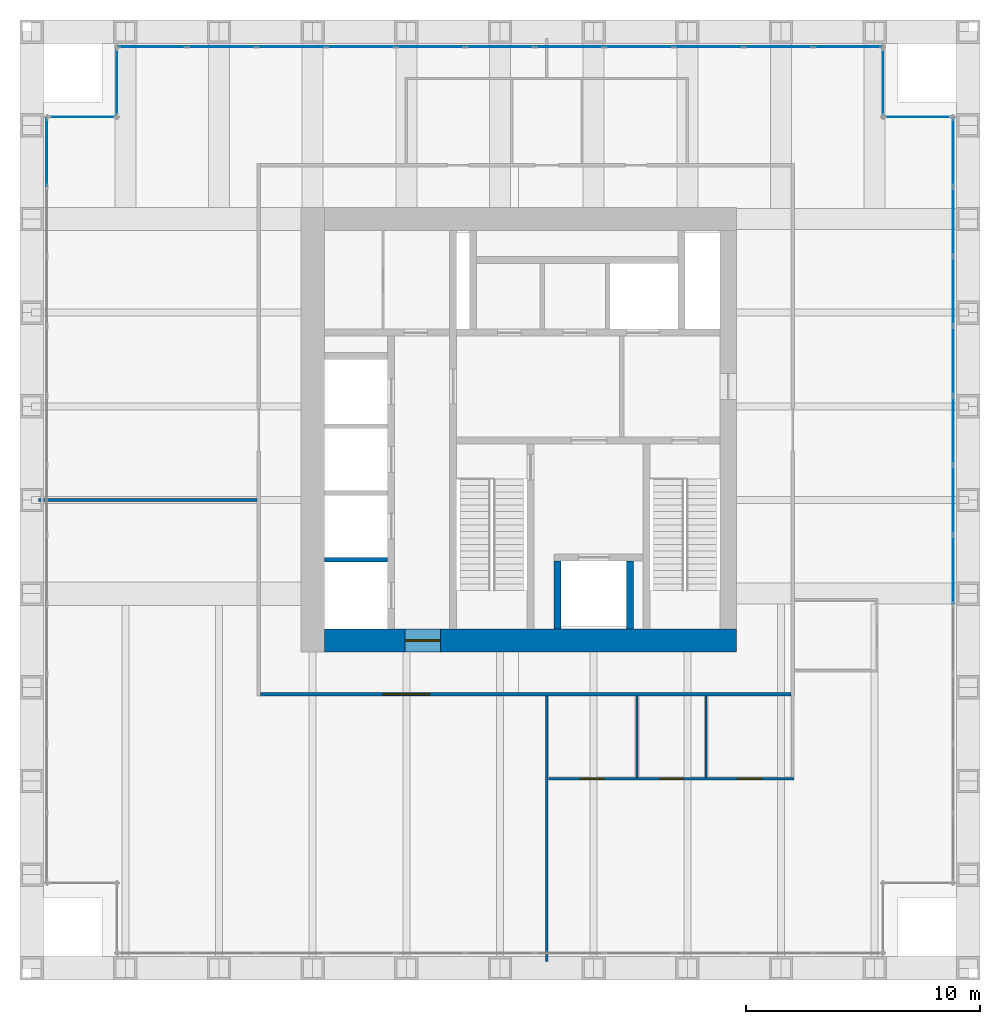
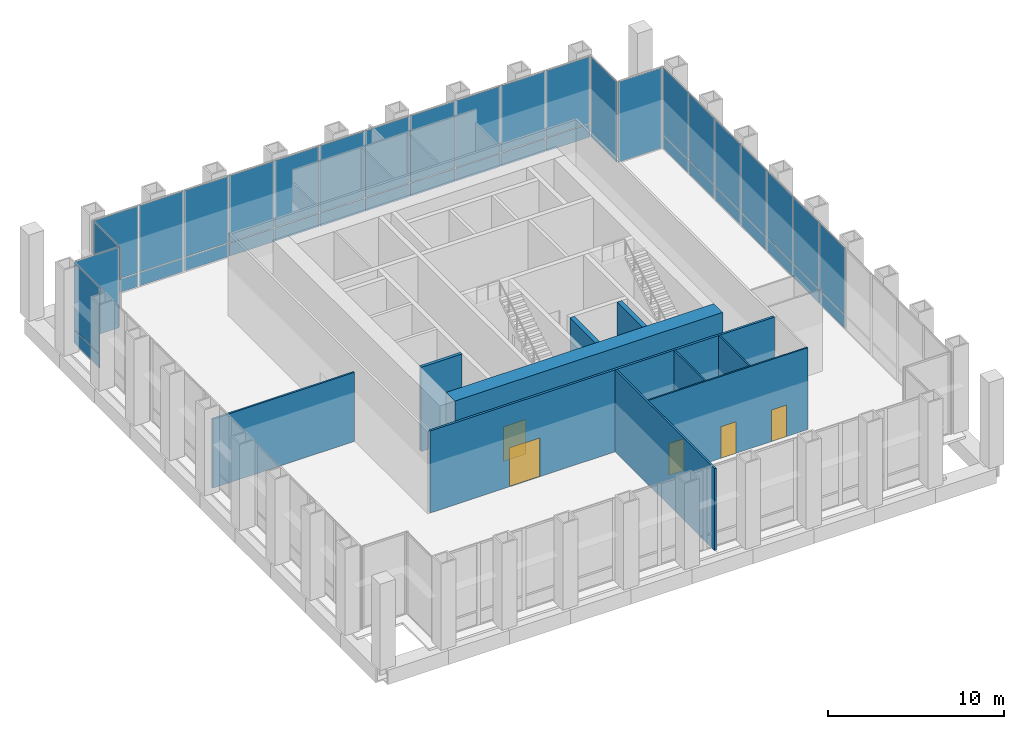
# One storey, part 9 of 12: 42 plates, 10 walls, 5 doors, 5 openings, 7 elements without a shape of their own.
"""IFC4 building model written with IfcOpenShell, lengths in metres."""

from ifc_helpers import new_model, si_unit, direction, frame, frame_2d, origin, origin_2d, place, context, subcontext, project, spatial, rectangle, extrude, material, layer, layer_set, type_object, element, fill, aggregate, save


model = new_model("IFC4")

# Units and contexts
model_context = context("Model", 3, precision=1e-05, world=origin(), true_north=direction((0.0, 1.0)))
body_context = subcontext(model_context, "Body", "Model", "MODEL_VIEW")
ifc_project = project(units=[si_unit("LENGTHUNIT", "METRE"), si_unit("AREAUNIT", "SQUARE_METRE"), si_unit("VOLUMEUNIT", "CUBIC_METRE"), si_unit("PLANEANGLEUNIT", "RADIAN"), si_unit("MASSUNIT", "GRAM", prefix="KILO")], contexts=[model_context])

# Site, building, storey
site_placement = place(None, origin())
site = spatial("IfcSite", under=ifc_project, at=site_placement, CompositionType="ELEMENT")
building_placement = place(site_placement, origin())
building = spatial("IfcBuilding", under=site, at=building_placement, Name="Rimbunsela Tower", CompositionType="ELEMENT")
storey_placement = place(building_placement, frame((0.0, 0.0, 298.199951171875)))
storey = spatial("IfcBuildingStorey", under=building, at=storey_placement, Name="L72", CompositionType="ELEMENT", Elevation=298.199951171875)

# Curtain wall, plate
ifc_material_1 = material(Name="Aluminium curtain wall", Category="aluminium")
curtain_wall_type_1 = type_object("IfcCurtainWallType", Name="Corner glazing", PredefinedType="USERDEFINED", material=ifc_material_1)
curtain_wall_1_placement = place(storey_placement, origin())
curtain_wall_1 = element("IfcCurtainWall", 1, at=curtain_wall_1_placement, inside=storey, type_object=curtain_wall_type_1, Name="Corner glazing L72", ObjectType="CORNER GLAZING", PredefinedType="USERDEFINED")
ifc_material_2 = material(Name="Clear double glazing", Category="glass")
ifc_layer_1 = layer(ifc_material_2, 0.028076171875)
ifc_layer_set_1 = layer_set([ifc_layer_1], Name="Glazed panel clear")
plate_type_1 = type_object("IfcPlateType", Name="Glazed panel clear", PredefinedType="CURTAIN_PANEL", material=ifc_layer_set_1)
plate_1_placement = place(storey_placement, frame((43.85009765625, 40.35009765625, 0.06005859375), z_axis=(0.0, 0.0, 1.0), x_axis=(-1.0, 0.0, 0.0)))
plate_1 = element("IfcPlate", 2, at=plate_1_placement, type_object=plate_type_1, Name="CW5 panel 1.1", PredefinedType="CURTAIN_PANEL", context=body_context, shape_type="SweptSolid", body=[
    extrude(rectangle(XDim=2.8798828125, YDim=0.028076171875, at=origin_2d()), origin(), (0.0, 0.0, 1.0), 5.580078125),
])
aggregate(curtain_wall_1, [plate_1])

curtain_wall_2_placement = place(storey_placement, origin())
curtain_wall_2 = element("IfcCurtainWall", 3, at=curtain_wall_2_placement, inside=storey, type_object=curtain_wall_type_1, Name="Corner glazing L72", ObjectType="CORNER GLAZING", PredefinedType="USERDEFINED")
plate_2_placement = place(storey_placement, frame((42.35009765625, 41.85009765625, 0.06005859375), z_axis=(0.0, 0.0, 1.0), x_axis=(0.0, 1.0, 0.0)))
plate_2 = element("IfcPlate", 4, at=plate_2_placement, type_object=plate_type_1, Name="CW5 panel 1.1", PredefinedType="CURTAIN_PANEL", context=body_context, shape_type="SweptSolid", body=[
    extrude(rectangle(XDim=2.8798828125, YDim=0.028076171875, at=origin_2d()), origin(), (0.0, 0.0, 1.0), 5.580078125),
])
aggregate(curtain_wall_2, [plate_2])

curtain_wall_3_placement = place(storey_placement, origin())
curtain_wall_3 = element("IfcCurtainWall", 5, at=curtain_wall_3_placement, inside=storey, type_object=curtain_wall_type_1, Name="Corner glazing L72", ObjectType="CORNER GLAZING", PredefinedType="USERDEFINED")
plate_3_placement = place(storey_placement, frame((9.64990234375, 41.85009765625, 0.06005859375), z_axis=(0.0, 0.0, 1.0), x_axis=(0.0, -1.0, 0.0)))
plate_3 = element("IfcPlate", 6, at=plate_3_placement, type_object=plate_type_1, Name="CW5 panel 1.1", PredefinedType="CURTAIN_PANEL", context=body_context, shape_type="SweptSolid", body=[
    extrude(rectangle(XDim=2.8798828125, YDim=0.028076171875, at=origin_2d()), origin(), (0.0, 0.0, 1.0), 5.580078125),
])
aggregate(curtain_wall_3, [plate_3])

curtain_wall_4_placement = place(storey_placement, origin())
curtain_wall_4 = element("IfcCurtainWall", 7, at=curtain_wall_4_placement, inside=storey, type_object=curtain_wall_type_1, Name="Corner glazing L72", ObjectType="CORNER GLAZING", PredefinedType="USERDEFINED")
plate_4_placement = place(storey_placement, frame((8.14990234375, 40.35009765625, 0.06005859375), z_axis=(0.0, 0.0, 1.0), x_axis=(-1.0, 0.0, 0.0)))
plate_4 = element("IfcPlate", 8, at=plate_4_placement, type_object=plate_type_1, Name="CW5 panel 1.1", PredefinedType="CURTAIN_PANEL", context=body_context, shape_type="SweptSolid", body=[
    extrude(rectangle(XDim=2.8798828125, YDim=0.028076171875, at=origin_2d()), origin(), (0.0, 0.0, 1.0), 5.580078125),
])
aggregate(curtain_wall_4, [plate_4])

# Curtain wall, plates
ifc_material_3 = material(Name="Aluminium curtain wall", Category="aluminium")
curtain_wall_type_2 = type_object("IfcCurtainWallType", Name="Crown glazing", PredefinedType="USERDEFINED", material=ifc_material_3)
curtain_wall_5_placement = place(storey_placement, origin())
curtain_wall_5 = element("IfcCurtainWall", 9, at=curtain_wall_5_placement, inside=storey, type_object=curtain_wall_type_2, Name="Crown glazing L72", ObjectType="CROWN GLAZING", PredefinedType="USERDEFINED")
ifc_material_4 = material(Name="Laminated double glazing", Category="glass")
ifc_layer_2 = layer(ifc_material_4, 0.0400390625)
ifc_layer_set_2 = layer_set([ifc_layer_2], Name="Glazed panel laminated 40")
plate_type_2 = type_object("IfcPlateType", Name="Glazed panel laminated 40", PredefinedType="CURTAIN_PANEL", material=ifc_layer_set_2)
plate_5_placement = place(storey_placement, frame((45.35009765625, 21.02734375, 0.06005859375), z_axis=(0.0, 0.0, 1.0), x_axis=(0.0, 1.0, 0.0)))
plate_5 = element("IfcPlate", 10, at=plate_5_placement, type_object=plate_type_2, Name="CW6 panel 5.1", PredefinedType="CURTAIN_PANEL", context=body_context, shape_type="SweptSolid", body=[
    extrude(rectangle(XDim=2.912841796875, YDim=0.0400390625, at=origin_2d()), origin(), (0.0, 0.0, 1.0), 0.909912109375),
])
plate_6_placement = place(storey_placement, frame((45.35009765625, 21.02734375, 1.02978515625), z_axis=(0.0, 0.0, 1.0), x_axis=(0.0, 1.0, 0.0)))
plate_6 = element("IfcPlate", 11, at=plate_6_placement, type_object=plate_type_2, Name="CW6 panel 5.2", PredefinedType="CURTAIN_PANEL", context=body_context, shape_type="SweptSolid", body=[
    extrude(rectangle(XDim=2.912841796875, YDim=0.0400390625, at=origin_2d()), origin(), (0.0, 0.0, 1.0), 4.610107421875),
])
plate_7_placement = place(storey_placement, frame((45.35009765625, 24.0, 0.06005859375), z_axis=(0.0, 0.0, 1.0), x_axis=(0.0, 1.0, 0.0)))
plate_7 = element("IfcPlate", 12, at=plate_7_placement, type_object=plate_type_2, Name="CW6 panel 6.1", PredefinedType="CURTAIN_PANEL", context=body_context, shape_type="SweptSolid", body=[
    extrude(rectangle(XDim=2.912841796875, YDim=0.0400390625, at=origin_2d()), origin(), (0.0, 0.0, 1.0), 0.909912109375),
])
plate_8_placement = place(storey_placement, frame((45.35009765625, 24.0, 1.02978515625), z_axis=(0.0, 0.0, 1.0), x_axis=(0.0, 1.0, 0.0)))
plate_8 = element("IfcPlate", 13, at=plate_8_placement, type_object=plate_type_2, Name="CW6 panel 6.2", PredefinedType="CURTAIN_PANEL", context=body_context, shape_type="SweptSolid", body=[
    extrude(rectangle(XDim=2.912841796875, YDim=0.0400390625, at=origin_2d()), origin(), (0.0, 0.0, 1.0), 4.610107421875),
])
plate_9_placement = place(storey_placement, frame((45.35009765625, 26.97265625, 0.06005859375), z_axis=(0.0, 0.0, 1.0), x_axis=(0.0, 1.0, 0.0)))
plate_9 = element("IfcPlate", 14, at=plate_9_placement, type_object=plate_type_2, Name="CW6 panel 7.1", PredefinedType="CURTAIN_PANEL", context=body_context, shape_type="SweptSolid", body=[
    extrude(rectangle(XDim=2.912841796875, YDim=0.0400390625, at=origin_2d()), origin(), (0.0, 0.0, 1.0), 0.909912109375),
])
plate_10_placement = place(storey_placement, frame((45.35009765625, 26.97265625, 1.02978515625), z_axis=(0.0, 0.0, 1.0), x_axis=(0.0, 1.0, 0.0)))
plate_10 = element("IfcPlate", 15, at=plate_10_placement, type_object=plate_type_2, Name="CW6 panel 7.2", PredefinedType="CURTAIN_PANEL", context=body_context, shape_type="SweptSolid", body=[
    extrude(rectangle(XDim=2.912841796875, YDim=0.0400390625, at=origin_2d()), origin(), (0.0, 0.0, 1.0), 4.610107421875),
])
plate_11_placement = place(storey_placement, frame((45.35009765625, 29.945556640625, 0.06005859375), z_axis=(0.0, 0.0, 1.0), x_axis=(0.0, 1.0, 0.0)))
plate_11 = element("IfcPlate", 16, at=plate_11_placement, type_object=plate_type_2, Name="CW6 panel 8.1", PredefinedType="CURTAIN_PANEL", context=body_context, shape_type="SweptSolid", body=[
    extrude(rectangle(XDim=2.912841796875, YDim=0.0400390625, at=origin_2d()), origin(), (0.0, 0.0, 1.0), 0.909912109375),
])
plate_12_placement = place(storey_placement, frame((45.35009765625, 29.945556640625, 1.02978515625), z_axis=(0.0, 0.0, 1.0), x_axis=(0.0, 1.0, 0.0)))
plate_12 = element("IfcPlate", 17, at=plate_12_placement, type_object=plate_type_2, Name="CW6 panel 8.2", PredefinedType="CURTAIN_PANEL", context=body_context, shape_type="SweptSolid", body=[
    extrude(rectangle(XDim=2.912841796875, YDim=0.0400390625, at=origin_2d()), origin(), (0.0, 0.0, 1.0), 4.610107421875),
])
plate_13_placement = place(storey_placement, frame((45.35009765625, 32.918212890625, 0.06005859375), z_axis=(0.0, 0.0, 1.0), x_axis=(0.0, 1.0, 0.0)))
plate_13 = element("IfcPlate", 18, at=plate_13_placement, type_object=plate_type_2, Name="CW6 panel 9.1", PredefinedType="CURTAIN_PANEL", context=body_context, shape_type="SweptSolid", body=[
    extrude(rectangle(XDim=2.912841796875, YDim=0.0400390625, at=origin_2d()), origin(), (0.0, 0.0, 1.0), 0.909912109375),
])
plate_14_placement = place(storey_placement, frame((45.35009765625, 32.918212890625, 1.02978515625), z_axis=(0.0, 0.0, 1.0), x_axis=(0.0, 1.0, 0.0)))
plate_14 = element("IfcPlate", 19, at=plate_14_placement, type_object=plate_type_2, Name="CW6 panel 9.2", PredefinedType="CURTAIN_PANEL", context=body_context, shape_type="SweptSolid", body=[
    extrude(rectangle(XDim=2.912841796875, YDim=0.0400390625, at=origin_2d()), origin(), (0.0, 0.0, 1.0), 4.610107421875),
])
plate_15_placement = place(storey_placement, frame((45.35009765625, 35.890869140625, 0.06005859375), z_axis=(0.0, 0.0, 1.0), x_axis=(0.0, 1.0, 0.0)))
plate_15 = element("IfcPlate", 20, at=plate_15_placement, type_object=plate_type_2, Name="CW6 panel 10.1", PredefinedType="CURTAIN_PANEL", context=body_context, shape_type="SweptSolid", body=[
    extrude(rectangle(XDim=2.912841796875, YDim=0.0400390625, at=origin_2d()), origin(), (0.0, 0.0, 1.0), 0.909912109375),
])
plate_16_placement = place(storey_placement, frame((45.35009765625, 35.890869140625, 1.02978515625), z_axis=(0.0, 0.0, 1.0), x_axis=(0.0, 1.0, 0.0)))
plate_16 = element("IfcPlate", 21, at=plate_16_placement, type_object=plate_type_2, Name="CW6 panel 10.2", PredefinedType="CURTAIN_PANEL", context=body_context, shape_type="SweptSolid", body=[
    extrude(rectangle(XDim=2.912841796875, YDim=0.0400390625, at=origin_2d()), origin(), (0.0, 0.0, 1.0), 4.610107421875),
])
plate_17_placement = place(storey_placement, frame((45.35009765625, 38.8486328125, 0.06005859375), z_axis=(0.0, 0.0, 1.0), x_axis=(0.0, 1.0, 0.0)))
plate_17 = element("IfcPlate", 22, at=plate_17_placement, type_object=plate_type_2, Name="CW6 panel 11.1", PredefinedType="CURTAIN_PANEL", context=body_context, shape_type="SweptSolid", body=[
    extrude(rectangle(XDim=2.8828125, YDim=0.0400390625, at=origin_2d()), origin(), (0.0, 0.0, 1.0), 0.909912109375),
])
plate_18_placement = place(storey_placement, frame((45.35009765625, 38.8486328125, 1.02978515625), z_axis=(0.0, 0.0, 1.0), x_axis=(0.0, 1.0, 0.0)))
plate_18 = element("IfcPlate", 23, at=plate_18_placement, type_object=plate_type_2, Name="CW6 panel 11.2", PredefinedType="CURTAIN_PANEL", context=body_context, shape_type="SweptSolid", body=[
    extrude(rectangle(XDim=2.8828125, YDim=0.0400390625, at=origin_2d()), origin(), (0.0, 0.0, 1.0), 4.610107421875),
])
aggregate(curtain_wall_5, [plate_5, plate_6, plate_7, plate_8, plate_9, plate_10, plate_11, plate_12, plate_13, plate_14, plate_15, plate_16, plate_17, plate_18])

curtain_wall_6_placement = place(storey_placement, origin())
curtain_wall_6 = element("IfcCurtainWall", 24, at=curtain_wall_6_placement, inside=storey, type_object=curtain_wall_type_2, Name="Crown glazing L72", ObjectType="CROWN GLAZING", PredefinedType="USERDEFINED")
plate_19_placement = place(storey_placement, frame((40.8486328125, 43.35009765625, 0.06005859375), z_axis=(0.0, 0.0, 1.0), x_axis=(-1.0, 0.0, 0.0)))
plate_19 = element("IfcPlate", 25, at=plate_19_placement, type_object=plate_type_2, Name="CW6 panel 1.1", PredefinedType="CURTAIN_PANEL", context=body_context, shape_type="SweptSolid", body=[
    extrude(rectangle(XDim=2.8828125, YDim=0.0400390625, at=origin_2d()), origin(), (0.0, 0.0, 1.0), 0.909912109375),
])
plate_20_placement = place(storey_placement, frame((40.8486328125, 43.35009765625, 1.02978515625), z_axis=(0.0, 0.0, 1.0), x_axis=(-1.0, 0.0, 0.0)))
plate_20 = element("IfcPlate", 26, at=plate_20_placement, type_object=plate_type_2, Name="CW6 panel 1.2", PredefinedType="CURTAIN_PANEL", context=body_context, shape_type="SweptSolid", body=[
    extrude(rectangle(XDim=2.8828125, YDim=0.0400390625, at=origin_2d()), origin(), (0.0, 0.0, 1.0), 4.610107421875),
])
plate_21_placement = place(storey_placement, frame((37.890869140625, 43.35009765625, 0.06005859375), z_axis=(0.0, 0.0, 1.0), x_axis=(-1.0, 0.0, 0.0)))
plate_21 = element("IfcPlate", 27, at=plate_21_placement, type_object=plate_type_2, Name="CW6 panel 2.1", PredefinedType="CURTAIN_PANEL", context=body_context, shape_type="SweptSolid", body=[
    extrude(rectangle(XDim=2.912841796875, YDim=0.0400390625, at=origin_2d()), origin(), (0.0, 0.0, 1.0), 0.909912109375),
])
plate_22_placement = place(storey_placement, frame((37.890869140625, 43.35009765625, 1.02978515625), z_axis=(0.0, 0.0, 1.0), x_axis=(-1.0, 0.0, 0.0)))
plate_22 = element("IfcPlate", 28, at=plate_22_placement, type_object=plate_type_2, Name="CW6 panel 2.2", PredefinedType="CURTAIN_PANEL", context=body_context, shape_type="SweptSolid", body=[
    extrude(rectangle(XDim=2.912841796875, YDim=0.0400390625, at=origin_2d()), origin(), (0.0, 0.0, 1.0), 4.610107421875),
])
plate_23_placement = place(storey_placement, frame((34.918212890625, 43.35009765625, 0.06005859375), z_axis=(0.0, 0.0, 1.0), x_axis=(-1.0, 0.0, 0.0)))
plate_23 = element("IfcPlate", 29, at=plate_23_placement, type_object=plate_type_2, Name="CW6 panel 3.1", PredefinedType="CURTAIN_PANEL", context=body_context, shape_type="SweptSolid", body=[
    extrude(rectangle(XDim=2.912841796875, YDim=0.0400390625, at=origin_2d()), origin(), (0.0, 0.0, 1.0), 0.909912109375),
])
plate_24_placement = place(storey_placement, frame((34.918212890625, 43.35009765625, 1.02978515625), z_axis=(0.0, 0.0, 1.0), x_axis=(-1.0, 0.0, 0.0)))
plate_24 = element("IfcPlate", 30, at=plate_24_placement, type_object=plate_type_2, Name="CW6 panel 3.2", PredefinedType="CURTAIN_PANEL", context=body_context, shape_type="SweptSolid", body=[
    extrude(rectangle(XDim=2.912841796875, YDim=0.0400390625, at=origin_2d()), origin(), (0.0, 0.0, 1.0), 4.610107421875),
])
plate_25_placement = place(storey_placement, frame((31.945556640625, 43.35009765625, 0.06005859375), z_axis=(0.0, 0.0, 1.0), x_axis=(-1.0, 0.0, 0.0)))
plate_25 = element("IfcPlate", 31, at=plate_25_placement, type_object=plate_type_2, Name="CW6 panel 4.1", PredefinedType="CURTAIN_PANEL", context=body_context, shape_type="SweptSolid", body=[
    extrude(rectangle(XDim=2.912841796875, YDim=0.0400390625, at=origin_2d()), origin(), (0.0, 0.0, 1.0), 0.909912109375),
])
plate_26_placement = place(storey_placement, frame((31.945556640625, 43.35009765625, 1.02978515625), z_axis=(0.0, 0.0, 1.0), x_axis=(-1.0, 0.0, 0.0)))
plate_26 = element("IfcPlate", 32, at=plate_26_placement, type_object=plate_type_2, Name="CW6 panel 4.2", PredefinedType="CURTAIN_PANEL", context=body_context, shape_type="SweptSolid", body=[
    extrude(rectangle(XDim=2.912841796875, YDim=0.0400390625, at=origin_2d()), origin(), (0.0, 0.0, 1.0), 4.610107421875),
])
plate_27_placement = place(storey_placement, frame((28.97265625, 43.35009765625, 0.06005859375), z_axis=(0.0, 0.0, 1.0), x_axis=(-1.0, 0.0, 0.0)))
plate_27 = element("IfcPlate", 33, at=plate_27_placement, type_object=plate_type_2, Name="CW6 panel 5.1", PredefinedType="CURTAIN_PANEL", context=body_context, shape_type="SweptSolid", body=[
    extrude(rectangle(XDim=2.912841796875, YDim=0.0400390625, at=origin_2d()), origin(), (0.0, 0.0, 1.0), 0.909912109375),
])
plate_28_placement = place(storey_placement, frame((28.97265625, 43.35009765625, 1.02978515625), z_axis=(0.0, 0.0, 1.0), x_axis=(-1.0, 0.0, 0.0)))
plate_28 = element("IfcPlate", 34, at=plate_28_placement, type_object=plate_type_2, Name="CW6 panel 5.2", PredefinedType="CURTAIN_PANEL", context=body_context, shape_type="SweptSolid", body=[
    extrude(rectangle(XDim=2.912841796875, YDim=0.0400390625, at=origin_2d()), origin(), (0.0, 0.0, 1.0), 4.610107421875),
])
plate_29_placement = place(storey_placement, frame((26.0, 43.35009765625, 0.06005859375), z_axis=(0.0, 0.0, 1.0), x_axis=(-1.0, 0.0, 0.0)))
plate_29 = element("IfcPlate", 35, at=plate_29_placement, type_object=plate_type_2, Name="CW6 panel 6.1", PredefinedType="CURTAIN_PANEL", context=body_context, shape_type="SweptSolid", body=[
    extrude(rectangle(XDim=2.912841796875, YDim=0.0400390625, at=origin_2d()), origin(), (0.0, 0.0, 1.0), 0.909912109375),
])
plate_30_placement = place(storey_placement, frame((26.0, 43.35009765625, 1.02978515625), z_axis=(0.0, 0.0, 1.0), x_axis=(-1.0, 0.0, 0.0)))
plate_30 = element("IfcPlate", 36, at=plate_30_placement, type_object=plate_type_2, Name="CW6 panel 6.2", PredefinedType="CURTAIN_PANEL", context=body_context, shape_type="SweptSolid", body=[
    extrude(rectangle(XDim=2.912841796875, YDim=0.0400390625, at=origin_2d()), origin(), (0.0, 0.0, 1.0), 4.610107421875),
])
plate_31_placement = place(storey_placement, frame((23.02734375, 43.35009765625, 0.06005859375), z_axis=(0.0, 0.0, 1.0), x_axis=(-1.0, 0.0, 0.0)))
plate_31 = element("IfcPlate", 37, at=plate_31_placement, type_object=plate_type_2, Name="CW6 panel 7.1", PredefinedType="CURTAIN_PANEL", context=body_context, shape_type="SweptSolid", body=[
    extrude(rectangle(XDim=2.912841796875, YDim=0.0400390625, at=origin_2d()), origin(), (0.0, 0.0, 1.0), 0.909912109375),
])
plate_32_placement = place(storey_placement, frame((23.02734375, 43.35009765625, 1.02978515625), z_axis=(0.0, 0.0, 1.0), x_axis=(-1.0, 0.0, 0.0)))
plate_32 = element("IfcPlate", 38, at=plate_32_placement, type_object=plate_type_2, Name="CW6 panel 7.2", PredefinedType="CURTAIN_PANEL", context=body_context, shape_type="SweptSolid", body=[
    extrude(rectangle(XDim=2.912841796875, YDim=0.0400390625, at=origin_2d()), origin(), (0.0, 0.0, 1.0), 4.610107421875),
])
plate_33_placement = place(storey_placement, frame((20.054443359375, 43.35009765625, 0.06005859375), z_axis=(0.0, 0.0, 1.0), x_axis=(-1.0, 0.0, 0.0)))
plate_33 = element("IfcPlate", 39, at=plate_33_placement, type_object=plate_type_2, Name="CW6 panel 8.1", PredefinedType="CURTAIN_PANEL", context=body_context, shape_type="SweptSolid", body=[
    extrude(rectangle(XDim=2.912841796875, YDim=0.0400390625, at=origin_2d()), origin(), (0.0, 0.0, 1.0), 0.909912109375),
])
plate_34_placement = place(storey_placement, frame((20.054443359375, 43.35009765625, 1.02978515625), z_axis=(0.0, 0.0, 1.0), x_axis=(-1.0, 0.0, 0.0)))
plate_34 = element("IfcPlate", 40, at=plate_34_placement, type_object=plate_type_2, Name="CW6 panel 8.2", PredefinedType="CURTAIN_PANEL", context=body_context, shape_type="SweptSolid", body=[
    extrude(rectangle(XDim=2.912841796875, YDim=0.0400390625, at=origin_2d()), origin(), (0.0, 0.0, 1.0), 4.610107421875),
])
plate_35_placement = place(storey_placement, frame((17.081787109375, 43.35009765625, 0.06005859375), z_axis=(0.0, 0.0, 1.0), x_axis=(-1.0, 0.0, 0.0)))
plate_35 = element("IfcPlate", 41, at=plate_35_placement, type_object=plate_type_2, Name="CW6 panel 9.1", PredefinedType="CURTAIN_PANEL", context=body_context, shape_type="SweptSolid", body=[
    extrude(rectangle(XDim=2.912841796875, YDim=0.0400390625, at=origin_2d()), origin(), (0.0, 0.0, 1.0), 0.909912109375),
])
plate_36_placement = place(storey_placement, frame((17.081787109375, 43.35009765625, 1.02978515625), z_axis=(0.0, 0.0, 1.0), x_axis=(-1.0, 0.0, 0.0)))
plate_36 = element("IfcPlate", 42, at=plate_36_placement, type_object=plate_type_2, Name="CW6 panel 9.2", PredefinedType="CURTAIN_PANEL", context=body_context, shape_type="SweptSolid", body=[
    extrude(rectangle(XDim=2.912841796875, YDim=0.0400390625, at=origin_2d()), origin(), (0.0, 0.0, 1.0), 4.610107421875),
])
plate_37_placement = place(storey_placement, frame((14.109130859375, 43.35009765625, 0.06005859375), z_axis=(0.0, 0.0, 1.0), x_axis=(-1.0, 0.0, 0.0)))
plate_37 = element("IfcPlate", 43, at=plate_37_placement, type_object=plate_type_2, Name="CW6 panel 10.1", PredefinedType="CURTAIN_PANEL", context=body_context, shape_type="SweptSolid", body=[
    extrude(rectangle(XDim=2.912841796875, YDim=0.0400390625, at=origin_2d()), origin(), (0.0, 0.0, 1.0), 0.909912109375),
])
plate_38_placement = place(storey_placement, frame((14.109130859375, 43.35009765625, 1.02978515625), z_axis=(0.0, 0.0, 1.0), x_axis=(-1.0, 0.0, 0.0)))
plate_38 = element("IfcPlate", 44, at=plate_38_placement, type_object=plate_type_2, Name="CW6 panel 10.2", PredefinedType="CURTAIN_PANEL", context=body_context, shape_type="SweptSolid", body=[
    extrude(rectangle(XDim=2.912841796875, YDim=0.0400390625, at=origin_2d()), origin(), (0.0, 0.0, 1.0), 4.610107421875),
])
plate_39_placement = place(storey_placement, frame((11.1513671875, 43.35009765625, 0.06005859375), z_axis=(0.0, 0.0, 1.0), x_axis=(-1.0, 0.0, 0.0)))
plate_39 = element("IfcPlate", 45, at=plate_39_placement, type_object=plate_type_2, Name="CW6 panel 11.1", PredefinedType="CURTAIN_PANEL", context=body_context, shape_type="SweptSolid", body=[
    extrude(rectangle(XDim=2.8828125, YDim=0.0400390625, at=origin_2d()), origin(), (0.0, 0.0, 1.0), 0.909912109375),
])
plate_40_placement = place(storey_placement, frame((11.1513671875, 43.35009765625, 1.02978515625), z_axis=(0.0, 0.0, 1.0), x_axis=(-1.0, 0.0, 0.0)))
plate_40 = element("IfcPlate", 46, at=plate_40_placement, type_object=plate_type_2, Name="CW6 panel 11.2", PredefinedType="CURTAIN_PANEL", context=body_context, shape_type="SweptSolid", body=[
    extrude(rectangle(XDim=2.8828125, YDim=0.0400390625, at=origin_2d()), origin(), (0.0, 0.0, 1.0), 4.610107421875),
])
aggregate(curtain_wall_6, [plate_19, plate_20, plate_21, plate_22, plate_23, plate_24, plate_25, plate_26, plate_27, plate_28, plate_29, plate_30, plate_31, plate_32, plate_33, plate_34, plate_35, plate_36, plate_37, plate_38, plate_39, plate_40])

curtain_wall_7_placement = place(storey_placement, origin())
curtain_wall_7 = element("IfcCurtainWall", 47, at=curtain_wall_7_placement, inside=storey, type_object=curtain_wall_type_2, Name="Crown glazing L72", ObjectType="CROWN GLAZING", PredefinedType="USERDEFINED")
plate_41_placement = place(storey_placement, frame((6.64990234375, 38.8486328125, 0.06005859375), z_axis=(0.0, 0.0, 1.0), x_axis=(0.0, -1.0, 0.0)))
plate_41 = element("IfcPlate", 48, at=plate_41_placement, type_object=plate_type_2, Name="CW6 panel 1.1", PredefinedType="CURTAIN_PANEL", context=body_context, shape_type="SweptSolid", body=[
    extrude(rectangle(XDim=2.8828125, YDim=0.0400390625, at=origin_2d()), origin(), (0.0, 0.0, 1.0), 0.909912109375),
])
plate_42_placement = place(storey_placement, frame((6.64990234375, 38.8486328125, 1.02978515625), z_axis=(0.0, 0.0, 1.0), x_axis=(0.0, -1.0, 0.0)))
plate_42 = element("IfcPlate", 49, at=plate_42_placement, type_object=plate_type_2, Name="CW6 panel 1.2", PredefinedType="CURTAIN_PANEL", context=body_context, shape_type="SweptSolid", body=[
    extrude(rectangle(XDim=2.8828125, YDim=0.0400390625, at=origin_2d()), origin(), (0.0, 0.0, 1.0), 4.610107421875),
])
aggregate(curtain_wall_7, [plate_41, plate_42])

# Walls
ifc_material_5 = material(Name="Concrete fc' 80 MPa", Category="concrete")
ifc_layer_3 = layer(ifc_material_5, 0.300048828125)
ifc_layer_set_3 = layer_set([ifc_layer_3], Name="Core internal wall 300")
wall_type_1 = type_object("IfcWallType", Name="Core internal wall 300", PredefinedType="SHEAR", material=ifc_layer_set_3)
for number, where, z_axis, x_axis, name in (
    (50, (28.449951171875, 18.5, -0.14990234375), (0.0, 0.0, 1.0), (0.0, 1.0, 0.0), "Firefighting lift shaft west"),
    (51, (31.550048828125, 18.5, -0.14990234375), (0.0, 0.0, 1.0), (0.0, 1.0, 0.0), "Firefighting lift shaft east"),
):
    element("IfcWall", number, at=place(storey_placement, frame(where, z_axis=z_axis, x_axis=x_axis)), inside=storey, type_object=wall_type_1, Name=name, PredefinedType="SHEAR", context=body_context, shape_type="SweptSolid", body=[
        extrude(rectangle(XDim=2.89990234375, YDim=0.300048828125, at=frame_2d((1.449951171875, 0.0))), origin(), (0.0, 0.0, 1.0), 5.849853515625),
    ])

# Wall, opening, door
ifc_material_6 = material(Name="Concrete fc' 80 MPa", Category="concrete")
ifc_layer_4 = layer(ifc_material_6, 1.0)
ifc_layer_set_4 = layer_set([ifc_layer_4], Name="Core wall 1000")
wall_type_2 = type_object("IfcWallType", Name="Core wall 1000", PredefinedType="SHEAR", material=ifc_layer_set_4)
wall_1_placement = place(storey_placement, frame((18.5, 18.0, -0.14990234375), z_axis=(0.0, 0.0, 1.0), x_axis=(1.0, 0.0, 0.0)))
wall_1 = element("IfcWall", 52, at=wall_1_placement, inside=storey, type_object=wall_type_2, Name="Core wall south", PredefinedType="SHEAR", context=body_context, shape_type="SweptSolid", body=[
    extrude(rectangle(XDim=17.60009765625, YDim=1.0, at=frame_2d((8.800048828125, 0.0))), origin(), (0.0, 0.0, 1.0), 5.849853515625),
])
opening_1_placement = place(wall_1_placement, frame((3.449951171875, 0.0, 0.14990234375)))
opening_1 = element("IfcOpeningElement", 53, at=opening_1_placement, cuts=wall_1, Name="Opening D03", PredefinedType="OPENING", context=body_context, shape_type="SweptSolid", body=[
    extrude(rectangle(XDim=1.5, YDim=2.39990234375, at=frame_2d((0.75, 1.199951171875))), frame((0.0, 0.510009765625, 0.0), z_axis=(0.0, -1.0, 0.0), x_axis=(1.0, 0.0, 0.0)), (0.0, 0.0, 1.0), 1.02001953125),
])
ifc_material_7 = material(Name="Steel door, fire rated", Category="steel")
door_type_1 = type_object("IfcDoorType", Name="Core lobby door 1500", OperationType="DOUBLE_DOOR_DOUBLE_SWING", PredefinedType="DOOR", material=ifc_material_7)
door_1_placement = place(opening_1_placement, origin())
door_1 = element("IfcDoor", 54, at=door_1_placement, inside=storey, type_object=door_type_1, Name="Core door south", OperationType="DOUBLE_DOOR_DOUBLE_SWING", OverallHeight=2.39990234375, OverallWidth=1.5, PredefinedType="DOOR", context=body_context, shape_type="SweptSolid", body=[
    extrude(rectangle(XDim=1.5, YDim=2.39990234375, at=frame_2d((0.75, 1.199951171875))), frame((0.0, 0.02490234375, 0.0), z_axis=(0.0, -1.0, 0.0), x_axis=(1.0, 0.0, 0.0)), (0.0, 0.0, 1.0), 0.050048828125),
])
fill(opening_1, door_1)

# Wall
ifc_material_8 = material(Name="Concrete blockwork", Category="masonry")
ifc_layer_5 = layer(ifc_material_8, 0.199951171875)
ifc_layer_set_5 = layer_set([ifc_layer_5], Name="Lift shaft wall 200")
wall_type_3 = type_object("IfcWallType", Name="Lift shaft wall 200", PredefinedType="SOLIDWALL", material=ifc_layer_set_5)
wall_2_placement = place(storey_placement, frame((18.5, 21.449951171875, -0.14990234375), z_axis=(0.0, 0.0, 1.0), x_axis=(1.0, 0.0, 0.0)))
element("IfcWall", 55, at=wall_2_placement, inside=storey, type_object=wall_type_3, Name="Lift shaft separation", PredefinedType="SOLIDWALL", context=body_context, shape_type="SweptSolid", body=[
    extrude(rectangle(XDim=2.699951171875, YDim=0.199951171875, at=frame_2d((1.35009765625, 0.0))), origin(), (0.0, 0.0, 1.0), 5.849853515625),
])

# Wall, openings, doors
ifc_material_9 = material(Name="Gypsum board on steel studs", Category="steel")
ifc_layer_6 = layer(ifc_material_9, 0.10009765625)
ifc_layer_set_6 = layer_set([ifc_layer_6], Name="Office partition 100")
wall_type_4 = type_object("IfcWallType", Name="Office partition 100", PredefinedType="PARTITIONING", material=ifc_layer_set_6)
wall_3_placement = place(storey_placement, frame((28.06103515625, 12.10009765625, 0.0), z_axis=(0.0, 0.0, 1.0), x_axis=(1.0, 0.0, 0.0)))
wall_3 = element("IfcWall", 56, at=wall_3_placement, inside=storey, type_object=wall_type_4, Name="Office partition", PredefinedType="PARTITIONING", context=body_context, shape_type="SweptSolid", body=[
    extrude(rectangle(XDim=10.489013671875, YDim=0.10009765625, at=frame_2d((5.24462890625, 0.0))), origin(), (0.0, 0.0, 1.0), 5.699951171875),
])
opening_2_placement = place(wall_3_placement, frame((1.364990234375, 0.0, 0.0)))
opening_2 = element("IfcOpeningElement", 57, at=opening_2_placement, cuts=wall_3, Name="Opening D16", PredefinedType="OPENING", context=body_context, shape_type="SweptSolid", body=[
    extrude(rectangle(XDim=1.0, YDim=2.199951171875, at=frame_2d((0.5, 1.10009765625))), frame((0.0, 0.06005859375, 0.0), z_axis=(0.0, -1.0, 0.0), x_axis=(1.0, 0.0, 0.0)), (0.0, 0.0, 1.0), 0.1201171875),
])
opening_3_placement = place(wall_3_placement, frame((4.764892578125, 0.0, 0.0)))
opening_3 = element("IfcOpeningElement", 58, at=opening_3_placement, cuts=wall_3, Name="Opening D16", PredefinedType="OPENING", context=body_context, shape_type="SweptSolid", body=[
    extrude(rectangle(XDim=1.0, YDim=2.199951171875, at=frame_2d((0.5, 1.10009765625))), frame((0.0, 0.06005859375, 0.0), z_axis=(0.0, -1.0, 0.0), x_axis=(1.0, 0.0, 0.0)), (0.0, 0.0, 1.0), 0.1201171875),
])
opening_4_placement = place(wall_3_placement, frame((8.089599609375, 0.0, 0.0)))
opening_4 = element("IfcOpeningElement", 59, at=opening_4_placement, cuts=wall_3, Name="Opening D16", PredefinedType="OPENING", context=body_context, shape_type="SweptSolid", body=[
    extrude(rectangle(XDim=1.0, YDim=2.199951171875, at=frame_2d((0.5, 1.10009765625))), frame((0.0, 0.06005859375, 0.0), z_axis=(0.0, -1.0, 0.0), x_axis=(1.0, 0.0, 0.0)), (0.0, 0.0, 1.0), 0.1201171875),
])
ifc_material_10 = material(Name="Timber door", Category="wood")
door_type_2 = type_object("IfcDoorType", Name="Office door 1000", OperationType="SINGLE_SWING_LEFT", PredefinedType="DOOR", material=ifc_material_10)
door_2_placement = place(opening_2_placement, origin())
door_2 = element("IfcDoor", 60, at=door_2_placement, inside=storey, type_object=door_type_2, Name="Office door", OperationType="SINGLE_SWING_LEFT", OverallHeight=2.199951171875, OverallWidth=1.0, PredefinedType="DOOR", context=body_context, shape_type="SweptSolid", body=[
    extrude(rectangle(XDim=1.0, YDim=2.199951171875, at=frame_2d((0.5, 1.10009765625))), frame((0.0, 0.02490234375, 0.0), z_axis=(0.0, -1.0, 0.0), x_axis=(1.0, 0.0, 0.0)), (0.0, 0.0, 1.0), 0.050048828125),
])
fill(opening_2, door_2)
door_3_placement = place(opening_3_placement, origin())
door_3 = element("IfcDoor", 61, at=door_3_placement, inside=storey, type_object=door_type_2, Name="Office door", OperationType="SINGLE_SWING_LEFT", OverallHeight=2.199951171875, OverallWidth=1.0, PredefinedType="DOOR", context=body_context, shape_type="SweptSolid", body=[
    extrude(rectangle(XDim=1.0, YDim=2.199951171875, at=frame_2d((0.5, 1.10009765625))), frame((0.0, 0.02490234375, 0.0), z_axis=(0.0, -1.0, 0.0), x_axis=(1.0, 0.0, 0.0)), (0.0, 0.0, 1.0), 0.050048828125),
])
fill(opening_3, door_3)
door_4_placement = place(opening_4_placement, origin())
door_4 = element("IfcDoor", 62, at=door_4_placement, inside=storey, type_object=door_type_2, Name="Office door", OperationType="SINGLE_SWING_LEFT", OverallHeight=2.199951171875, OverallWidth=1.0, PredefinedType="DOOR", context=body_context, shape_type="SweptSolid", body=[
    extrude(rectangle(XDim=1.0, YDim=2.199951171875, at=frame_2d((0.5, 1.10009765625))), frame((0.0, 0.02490234375, 0.0), z_axis=(0.0, -1.0, 0.0), x_axis=(1.0, 0.0, 0.0)), (0.0, 0.0, 1.0), 0.050048828125),
])
fill(opening_4, door_4)

# Walls
for number, where, z_axis, x_axis, name in (
    (63, (31.85107421875, 12.14990234375, 0.0), (0.0, 0.0, 1.0), (0.0, 1.0, 0.0), "Office partition"),
    (64, (34.801025390625, 12.14990234375, 0.0), (0.0, 0.0, 1.0), (0.0, 1.0, 0.0), "Office partition"),
):
    element("IfcWall", number, at=place(storey_placement, frame(where, z_axis=z_axis, x_axis=x_axis)), inside=storey, type_object=wall_type_4, Name=name, PredefinedType="PARTITIONING", context=body_context, shape_type="SweptSolid", body=[
        extrude(rectangle(XDim=3.47509765625, YDim=0.10009765625, at=frame_2d((1.737548828125, 0.0))), origin(), (0.0, 0.0, 1.0), 5.699951171875),
    ])

# Wall, opening, door
ifc_material_11 = material(Name="Fire-rated gypsum board on steel studs, EI 60", Category="steel")
ifc_layer_7 = layer(ifc_material_11, 0.14990234375)
ifc_layer_set_7 = layer_set([ifc_layer_7], Name="Rated corridor wall 150")
wall_type_5 = type_object("IfcWallType", Name="Rated corridor wall 150", PredefinedType="PARTITIONING", material=ifc_layer_set_7)
wall_4_placement = place(storey_placement, frame((15.77490234375, 15.699951171875, 0.0), z_axis=(0.0, 0.0, 1.0), x_axis=(1.0, 0.0, 0.0)))
wall_4 = element("IfcWall", 65, at=wall_4_placement, inside=storey, type_object=wall_type_5, Name="Corridor wall south", PredefinedType="PARTITIONING", context=body_context, shape_type="SweptSolid", body=[
    extrude(rectangle(XDim=22.650146484375, YDim=0.14990234375, at=frame_2d((11.3251953125, 0.0))), origin(), (0.0, 0.0, 1.0), 5.699951171875),
])
opening_5_placement = place(wall_4_placement, frame((5.22509765625, 0.0, 0.0)))
opening_5 = element("IfcOpeningElement", 66, at=opening_5_placement, cuts=wall_4, Name="Opening D12", PredefinedType="OPENING", context=body_context, shape_type="SweptSolid", body=[
    extrude(rectangle(XDim=2.0, YDim=2.699951171875, at=frame_2d((1.0, 1.35009765625))), frame((0.0, 0.0849609375, 0.0), z_axis=(0.0, -1.0, 0.0), x_axis=(1.0, 0.0, 0.0)), (0.0, 0.0, 1.0), 0.169921875),
])
ifc_material_12 = material(Name="Glazed aluminium door, fire rated", Category="aluminium")
door_type_3 = type_object("IfcDoorType", Name="Observation gallery door 2000", OperationType="DOUBLE_DOOR_DOUBLE_SWING", PredefinedType="DOOR", material=ifc_material_12)
door_5_placement = place(opening_5_placement, origin())
door_5 = element("IfcDoor", 67, at=door_5_placement, inside=storey, type_object=door_type_3, Name="Observation gallery door", OperationType="DOUBLE_DOOR_DOUBLE_SWING", OverallHeight=2.699951171875, OverallWidth=2.0, PredefinedType="DOOR", context=body_context, shape_type="SweptSolid", body=[
    extrude(rectangle(XDim=2.0, YDim=2.699951171875, at=frame_2d((1.0, 1.35009765625))), frame((0.0, 0.02490234375, 0.0), z_axis=(0.0, -1.0, 0.0), x_axis=(1.0, 0.0, 0.0)), (0.0, 0.0, 1.0), 0.050048828125),
])
fill(opening_5, door_5)

# Walls
ifc_material_13 = material(Name="Gypsum board on steel studs", Category="steel")
ifc_layer_8 = layer(ifc_material_13, 0.1201171875)
ifc_layer_set_8 = layer_set([ifc_layer_8], Name="Tenancy partition 120")
wall_type_6 = type_object("IfcWallType", Name="Tenancy partition 120", PredefinedType="PARTITIONING", material=ifc_layer_set_8)
wall_5_placement = place(storey_placement, frame((6.300048828125, 24.0, 0.0), z_axis=(0.0, 0.0, 1.0), x_axis=(1.0, 0.0, 0.0)))
element("IfcWall", 68, at=wall_5_placement, inside=storey, type_object=wall_type_6, Name="Observation gallery partition", PredefinedType="PARTITIONING", context=body_context, shape_type="SweptSolid", body=[
    extrude(rectangle(XDim=9.324951171875, YDim=0.1201171875, at=frame_2d((4.66259765625, 0.0))), origin(), (0.0, 0.0, 1.0), 4.800048828125),
])
wall_6_placement = place(storey_placement, frame((28.0, 4.300048828125, 0.0), z_axis=(0.0, 0.0, 1.0), x_axis=(0.0, 1.0, 0.0)))
element("IfcWall", 69, at=wall_6_placement, inside=storey, type_object=wall_type_6, Name="Tenancy partition south", PredefinedType="PARTITIONING", context=body_context, shape_type="SweptSolid", body=[
    extrude(rectangle(XDim=11.324951171875, YDim=0.1201171875, at=frame_2d((5.66259765625, 0.0))), origin(), (0.0, 0.0, 1.0), 5.699951171875),
])

save(model, "model.ifc")
